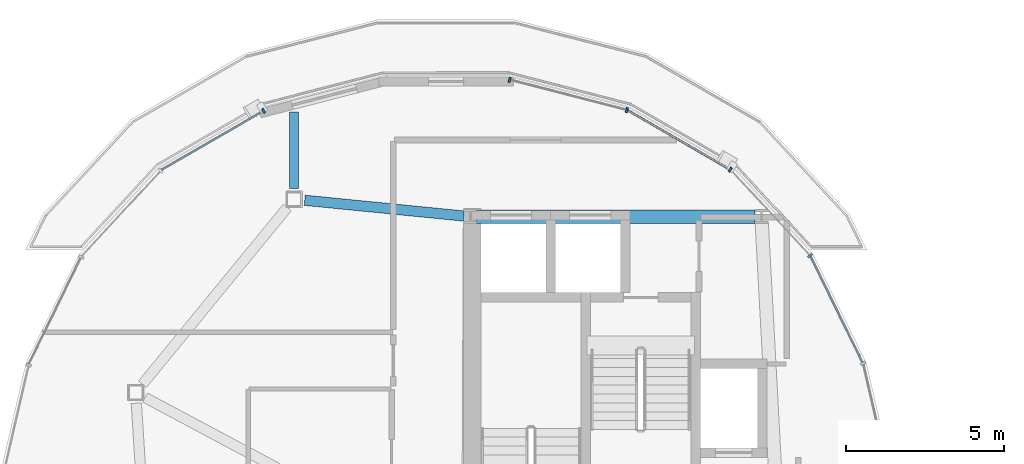
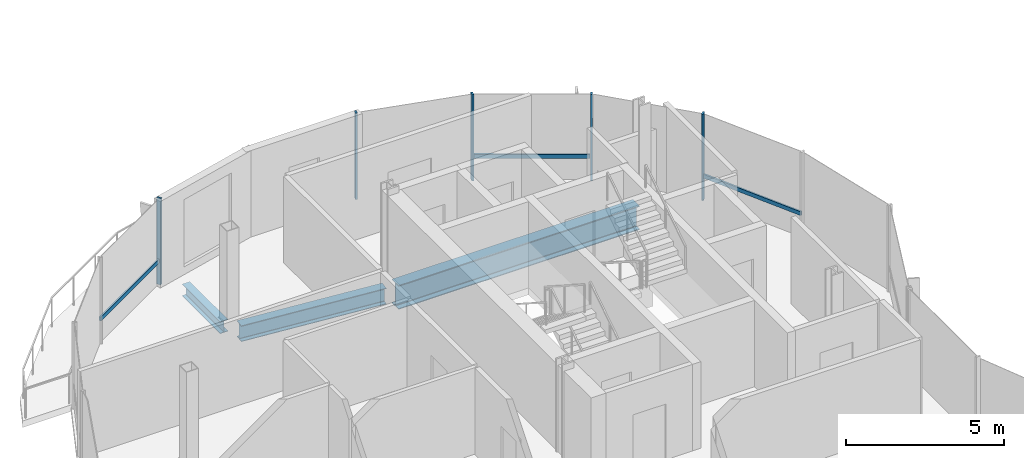
# One storey, part 6 of 20: 8 members, 3 beams, 2 elements without a shape of their own.
"""IFC4 building model written with IfcOpenShell, lengths in metres."""

from ifc_helpers import new_model, si_unit, direction, frame, origin, origin_2d, place, context, subcontext, project, spatial, rectangle, i_section, extrude, material, material_profile, profile_set, type_object, element, aggregate, save


model = new_model("IFC4")

# Units and contexts
model_context = context("Model", 3, precision=1e-05, world=origin(), true_north=direction((0.0, 1.0)))
body_context = subcontext(model_context, "Body", "Model", "MODEL_VIEW")
ifc_project = project(units=[si_unit("LENGTHUNIT", "METRE"), si_unit("AREAUNIT", "SQUARE_METRE"), si_unit("VOLUMEUNIT", "CUBIC_METRE"), si_unit("PLANEANGLEUNIT", "RADIAN"), si_unit("MASSUNIT", "GRAM", prefix="KILO"), si_unit("THERMODYNAMICTEMPERATUREUNIT", "KELVIN"), si_unit("POWERUNIT", "WATT")], contexts=[model_context])

# Site, building, storey
site_placement = place(None, origin())
site = spatial("IfcSite", under=ifc_project, at=site_placement, CompositionType="ELEMENT")
building_placement = place(site_placement, origin())
building = spatial("IfcBuilding", under=site, at=building_placement, Name="Cundina Bronze Exchange", CompositionType="ELEMENT")
storey_placement = place(building_placement, frame((0.0, 0.0, 282.800048828125)))
storey = spatial("IfcBuildingStorey", under=building, at=storey_placement, Name="L75", CompositionType="ELEMENT", Elevation=282.800048828125)

# Beams
ifc_material_1 = material(Name="Steel ASTM A992 Grade 50", Category="steel")
ifc_material_profile_1 = material_profile(ifc_material_1, i_section(OverallWidth=0.280029296875, OverallDepth=0.462890625, WebThickness=0.0107421875, FlangeThickness=0.017333984375, FilletRadius=0.011962890625, at=origin_2d()), Name="W18X76", Category="steel")
ifc_profile_set_1 = profile_set([ifc_material_profile_1], Name="Steel ASTM A992 Grade 50")
beam_type_1 = type_object("IfcBeamType", Name="BM-FLR-W18A", PredefinedType="BEAM", material=ifc_profile_set_1)
beam_1_placement = place(storey_placement, frame((-36.800048828125, 15.93798828125, -0.49658203125), z_axis=(0.0, 1.0, 0.0), x_axis=(-1.0, 0.0, 0.0)))
element("IfcBeam", 1, at=beam_1_placement, inside=storey, type_object=beam_type_1, Name="L75 W Crown Terrace Edge Bracket 1", PredefinedType="BEAM", context=body_context, shape_type="SweptSolid", body=[
    extrude(i_section(OverallWidth=0.280029296875, OverallDepth=0.462890625, WebThickness=0.0107421875, FlangeThickness=0.017333984375, FilletRadius=0.011962890625, at=origin_2d()), origin(), (0.0, 0.0, 1.0), 2.412109375),
])
ifc_material_profile_2 = material_profile(ifc_material_1, i_section(OverallWidth=0.324951171875, OverallDepth=0.615966796875, WebThickness=0.013916015625, FlangeThickness=0.021484375, FilletRadius=0.01611328125, at=origin_2d()), Name="W24X117", Category="steel")
ifc_profile_set_2 = profile_set([ifc_material_profile_2], Name="Steel ASTM A992 Grade 50")
beam_type_2 = type_object("IfcBeamType", Name="BM-RING-W24", PredefinedType="USERDEFINED", material=ifc_profile_set_2)
beam_2_placement = place(storey_placement, frame((-31.445068359375, 15.0693359375, -0.568115234375), z_axis=(-0.995125942807, 0.098612159248, 0.0), x_axis=(-0.098612159248, -0.995125942807, 0.0)))
element("IfcBeam", 2, at=beam_2_placement, inside=storey, type_object=beam_type_2, Name="L75 W Inner Structural Ring Girder 01", ObjectType="GIRDER", PredefinedType="USERDEFINED", context=body_context, shape_type="SweptSolid", body=[
    extrude(i_section(OverallWidth=0.324951171875, OverallDepth=0.615966796875, WebThickness=0.013916015625, FlangeThickness=0.021484375, FilletRadius=0.01611328125, at=origin_2d()), origin(), (0.0, 0.0, 1.0), 5.043212890625),
])
ifc_material_profile_3 = material_profile(ifc_material_1, i_section(OverallWidth=0.41796875, OverallDepth=0.927001953125, WebThickness=0.019287109375, FlangeThickness=0.031982421875, FilletRadius=0.02392578125, at=origin_2d()), Name="W36X231", Category="steel")
ifc_profile_set_3 = profile_set([ifc_material_profile_3], Name="Steel ASTM A992 Grade 50")
beam_type_3 = type_object("IfcBeamType", Name="BM-WRN-W36B", PredefinedType="USERDEFINED", material=ifc_profile_set_3)
beam_3_placement = place(storey_placement, frame((-22.24609375, 15.050048828125, -0.7236328125), z_axis=(-1.0, 0.0, 0.0), x_axis=(0.0, -1.0, 0.0)))
element("IfcBeam", 3, at=beam_3_placement, inside=storey, type_object=beam_type_3, Name="L75 W Core Perimeter Tie Girder 3", ObjectType="GIRDER", PredefinedType="USERDEFINED", context=body_context, shape_type="SweptSolid", body=[
    extrude(i_section(OverallWidth=0.41796875, OverallDepth=0.927001953125, WebThickness=0.019287109375, FlangeThickness=0.031982421875, FilletRadius=0.02392578125, at=origin_2d()), origin(), (0.0, 0.0, 1.0), 8.807861328125),
])

# Curtain wall, members
ifc_material_2 = material(Name="Anodised Bronze Aluminium 6063-T6", Category="aluminium")
curtain_wall_type = type_object("IfcCurtainWallType", Name="CWS-CRN-TMD", PredefinedType="NOTDEFINED", material=ifc_material_2)
curtain_wall_1_placement = place(storey_placement, origin())
curtain_wall_1 = element("IfcCurtainWall", 4, at=curtain_wall_1_placement, inside=storey, type_object=curtain_wall_type, Name="L75 CW-07 Curtain Wall Run CWR-L75-W1", PredefinedType="NOTDEFINED")
ifc_material_profile_4 = material_profile(ifc_material_2, rectangle(XDim=0.06494140625, YDim=0.159912109375, at=origin_2d()), Name="AL65X160", Category="aluminium")
ifc_profile_set_4 = profile_set([ifc_material_profile_4], Name="Anodised Bronze Aluminium 6063-T6")
member_type_1 = type_object("IfcMemberType", Name="CWM-MUL-160", PredefinedType="MULLION", material=ifc_profile_set_4)
member_1_placement = place(storey_placement, frame((-20.516357421875, 13.824462890625, 0.0), z_axis=(0.0, 0.0, 1.0), x_axis=(-0.679057031084, 0.734085518544, 0.0)))
member_1 = element("IfcMember", 5, at=member_1_placement, type_object=member_type_1, Name="CW-07 Mullion 4", PredefinedType="MULLION", context=body_context, shape_type="SweptSolid", body=[
    extrude(rectangle(XDim=0.06494140625, YDim=0.159912109375, at=origin_2d()), origin(), (0.0, 0.0, 1.0), 3.33984375),
])
member_2_placement = place(storey_placement, frame((-23.033447265625, 16.5322265625, 0.0), z_axis=(0.0, 0.0, 1.0), x_axis=(-0.86532642813, 0.501208711795, 0.0)))
member_2 = element("IfcMember", 6, at=member_2_placement, type_object=member_type_1, Name="CW-07 Mullion 5", PredefinedType="MULLION", context=body_context, shape_type="SweptSolid", body=[
    extrude(rectangle(XDim=0.06494140625, YDim=0.159912109375, at=origin_2d()), origin(), (0.0, 0.0, 1.0), 3.33984375),
])
member_3_placement = place(storey_placement, frame((-26.300048828125, 18.41455078125, 0.0), z_axis=(0.0, 0.0, 1.0), x_axis=(-0.96832220265, 0.249704048534, 0.0)))
member_3 = element("IfcMember", 7, at=member_3_placement, type_object=member_type_1, Name="CW-07 Mullion 6", PredefinedType="MULLION", context=body_context, shape_type="SweptSolid", body=[
    extrude(rectangle(XDim=0.06494140625, YDim=0.159912109375, at=origin_2d()), origin(), (0.0, 0.0, 1.0), 3.33984375),
])
member_4_placement = place(storey_placement, frame((-30.0, 19.368896484375, 0.0), z_axis=(0.0, 0.0, 1.0), x_axis=(-0.96832220265, 0.249704048534, 0.0)))
member_4 = element("IfcMember", 8, at=member_4_placement, type_object=member_type_1, Name="CW-07 End Mullion", PredefinedType="MULLION", context=body_context, shape_type="SweptSolid", body=[
    extrude(rectangle(XDim=0.06494140625, YDim=0.159912109375, at=origin_2d()), origin(), (0.0, 0.0, 1.0), 3.33984375),
])

# Curtain wall, member
curtain_wall_2_placement = place(storey_placement, origin())
curtain_wall_2 = element("IfcCurtainWall", 9, at=curtain_wall_2_placement, inside=storey, type_object=curtain_wall_type, Name="L75 CW-07 Curtain Wall Run CWR-L75-W2", PredefinedType="NOTDEFINED")
member_5_placement = place(storey_placement, frame((-37.75830078125, 18.390625, 0.0), z_axis=(0.0, 0.0, 1.0), x_axis=(-0.86532642813, -0.501208711795, 0.0)))
member_5 = element("IfcMember", 10, at=member_5_placement, type_object=member_type_1, Name="CW-07 Mullion 1", PredefinedType="MULLION", context=body_context, shape_type="SweptSolid", body=[
    extrude(rectangle(XDim=0.06494140625, YDim=0.159912109375, at=origin_2d()), origin(), (0.0, 0.0, 1.0), 3.33984375),
])

# Member
ifc_material_profile_5 = material_profile(ifc_material_2, rectangle(XDim=0.06494140625, YDim=0.14990234375, at=origin_2d()), Name="AL65X150", Category="aluminium")
ifc_profile_set_5 = profile_set([ifc_material_profile_5], Name="Anodised Bronze Aluminium 6063-T6")
member_type_2 = type_object("IfcMemberType", Name="CWM-TRN-150", PredefinedType="USERDEFINED", material=ifc_profile_set_5)
member_6_placement = place(storey_placement, frame((-18.859619140625, 10.45703125, 0.919921875), z_axis=(-0.439312304643, 0.898334402653, 0.0), x_axis=(-0.898334402653, -0.439312304643, 0.0)))
member_6 = element("IfcMember", 11, at=member_6_placement, type_object=member_type_2, Name="CW-07 Spandrel Transom 3", ObjectType="TRANSOM", PredefinedType="USERDEFINED", context=body_context, shape_type="SweptSolid", body=[
    extrude(rectangle(XDim=0.06494140625, YDim=0.14990234375, at=origin_2d()), origin(), (0.0, 0.0, 1.0), 3.728515625),
])

member_7_placement = place(storey_placement, frame((-23.064453125, 16.55029296875, 0.919921875), z_axis=(-0.865310549987, 0.501236124078, 0.0), x_axis=(-0.501236124078, -0.865310549987, 0.0)))
member_7 = element("IfcMember", 12, at=member_7_placement, type_object=member_type_2, Name="CW-07 Spandrel Transom 5", ObjectType="TRANSOM", PredefinedType="USERDEFINED", context=body_context, shape_type="SweptSolid", body=[
    extrude(rectangle(XDim=0.06494140625, YDim=0.14990234375, at=origin_2d()), origin(), (0.0, 0.0, 1.0), 3.70751953125),
])

aggregate(curtain_wall_1, [member_6, member_1, member_2, member_7, member_3, member_4])

member_8_placement = place(storey_placement, frame((-37.789306640625, 18.372802734375, 0.919921875), z_axis=(-0.865294005039, -0.501264685415, 0.0), x_axis=(0.501264685415, -0.865294005039, 0.0)))
member_8 = element("IfcMember", 13, at=member_8_placement, type_object=member_type_2, Name="CW-07 Spandrel Transom 1", ObjectType="TRANSOM", PredefinedType="USERDEFINED", context=body_context, shape_type="SweptSolid", body=[
    extrude(rectangle(XDim=0.06494140625, YDim=0.14990234375, at=origin_2d()), origin(), (0.0, 0.0, 1.0), 3.70751953125),
])

aggregate(curtain_wall_2, [member_5, member_8])

save(model, "model.ifc")
